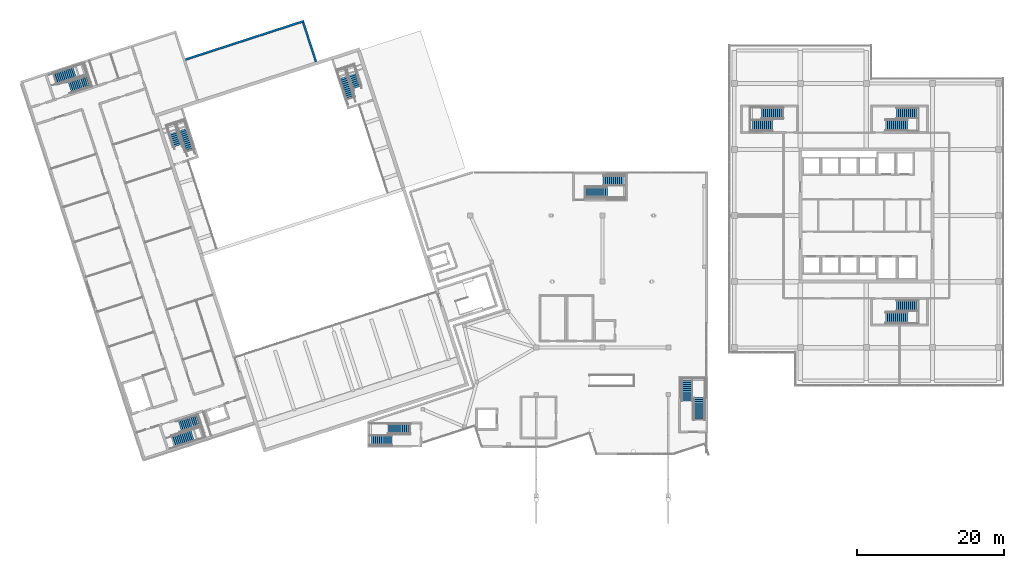
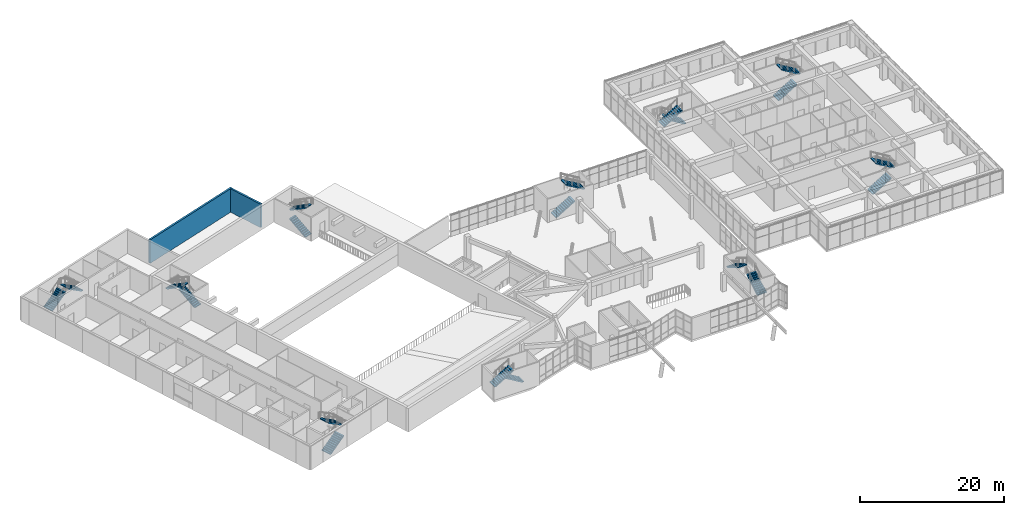
# One storey, part 59 of 65: 20 stair flights, 2 walls, 10 elements without a shape of their own.
"""IFC4 building model written with IfcOpenShell, lengths in metres."""

from ifc_helpers import new_model, si_unit, direction, frame, frame_2d, origin, place, context, subcontext, project, spatial, polyline, rectangle, outline, extrude, material, layer, layer_set, type_object, element, aggregate, save


model = new_model("IFC4")

# Units and contexts
model_context = context("Model", 3, precision=1e-05, world=origin(), true_north=direction((0.0, 1.0)))
body_context = subcontext(model_context, "Body", "Model", "MODEL_VIEW")
ifc_project = project(units=[si_unit("LENGTHUNIT", "METRE"), si_unit("AREAUNIT", "SQUARE_METRE"), si_unit("VOLUMEUNIT", "CUBIC_METRE"), si_unit("PLANEANGLEUNIT", "RADIAN"), si_unit("MASSUNIT", "GRAM", prefix="KILO")], contexts=[model_context])

# Site, building, storey
site_placement = place(None, origin())
site = spatial("IfcSite", under=ifc_project, at=site_placement, CompositionType="ELEMENT")
building_placement = place(site_placement, origin())
building = spatial("IfcBuilding", under=site, at=building_placement, Name="Tuart Plaza Theatre", CompositionType="ELEMENT")
storey_placement = place(building_placement, frame((0.0, 0.0, 9.5)))
storey = spatial("IfcBuildingStorey", under=building, at=storey_placement, Name="L02", CompositionType="ELEMENT", Elevation=9.5)

# Walls
ifc_material_1 = material(Name="Concrete N40 (40 MPa)", Category="concrete")
ifc_layer = layer(ifc_material_1, 0.300048828125)
ifc_layer_set = layer_set([ifc_layer], Name="WALL RC300 LB FRL 120/120/120")
wall_type = type_object("IfcWallType", Name="WALL RC300 LB FRL 120/120/120", PredefinedType="SOLIDWALL", material=ifc_layer_set)
wall_1_placement = place(storey_placement, frame((39.162109375, 95.257568359375, 0.0), z_axis=(0.0, 0.0, 1.0), x_axis=(0.951058550479, 0.309010733732, 0.0)))
element("IfcWall", 1, at=wall_1_placement, inside=storey, type_object=wall_type, Name="W75", PredefinedType="SOLIDWALL", context=body_context, shape_type="SweptSolid", body=[
    extrude(rectangle(XDim=17.0, YDim=0.300048828125, at=frame_2d((8.5, 0.0))), origin(), (0.0, 0.0, 1.0), 4.0),
])
wall_2_placement = place(storey_placement, frame((55.233642578125, 100.32177734375, 0.0), z_axis=(0.0, 0.0, 1.0), x_axis=(0.309031112369, -0.951051928965, 0.0)))
element("IfcWall", 2, at=wall_2_placement, inside=storey, type_object=wall_type, Name="W76", PredefinedType="SOLIDWALL", context=body_context, shape_type="SweptSolid", body=[
    extrude(rectangle(XDim=5.625, YDim=0.300048828125, at=frame_2d((2.8125, 0.0))), origin(), (0.0, 0.0, 1.0), 4.0),
])

# Stair, stair flights
ifc_material_2 = material(Name="Concrete N40 (40 MPa)", Category="concrete")
stair_type_1 = type_object("IfcStairType", Name="STAIR half turn 1600", PredefinedType="HALF_TURN_STAIR", material=ifc_material_2)
stair_1_placement = place(storey_placement, origin())
stair_1 = element("IfcStair", 3, at=stair_1_placement, inside=storey, type_object=stair_type_1, Name="SA-1", PredefinedType="HALF_TURN_STAIR")
ifc_material_3 = material(Name="Concrete N40 (40 MPa)", Category="concrete")
stair_flight_type_1 = type_object("IfcStairFlightType", Name="STAIR FLIGHT 166.7 260 1600", PredefinedType="STRAIGHT", material=ifc_material_3)
stair_flight_1_placement = place(storey_placement, frame((37.430419921875, 43.14697265625, 0.0), z_axis=(0.0, 0.0, 1.0), x_axis=(0.951056516295, 0.309016994375, 0.0)))
stair_flight_1 = element("IfcStairFlight", 4, at=stair_flight_1_placement, type_object=stair_flight_type_1, Name="SA-1 flight 1", NumberOfRisers=12, NumberOfTreads=11, PredefinedType="STRAIGHT", RiserHeight=0.166666667, TreadLength=0.26, context=body_context, shape_type="SweptSolid", body=[
    extrude(outline(polyline([(0.0, 0.0), (0.0, 0.166748046875), (0.260009765625, 0.166748046875), (0.260009765625, 0.333251953125), (0.52001953125, 0.333251953125), (0.52001953125, 0.5), (0.780029296875, 0.5), (0.780029296875, 0.666748046875), (1.0400390625, 0.666748046875), (1.0400390625, 0.833251953125), (1.300048828125, 0.833251953125), (1.300048828125, 1.0), (1.56005859375, 1.0), (1.56005859375, 1.166748046875), (1.820068359375, 1.166748046875), (1.820068359375, 1.333251953125), (2.080078125, 1.333251953125), (2.080078125, 1.5), (2.340087890625, 1.5), (2.340087890625, 1.666748046875), (2.60009765625, 1.666748046875), (2.60009765625, 1.833251953125), (2.860107421875, 1.833251953125), (2.860107421875, 2.0), (2.860107421875, 1.6552734375), (0.27783203125, 0.0), (0.0, 0.0)])), frame((0.0, 0.800048828125, 0.0), z_axis=(0.0, -1.0, 0.0), x_axis=(1.0, 0.0, 0.0)), (0.0, 0.0, 1.0), 1.60009765625),
])
stair_flight_2_placement = place(storey_placement, frame((41.13134765625, 46.189453125, 2.0), z_axis=(0.0, 0.0, 1.0), x_axis=(-0.951056516295, -0.309016994375, 0.0)))
stair_flight_2 = element("IfcStairFlight", 5, at=stair_flight_2_placement, type_object=stair_flight_type_1, Name="SA-1 flight 2", NumberOfRisers=12, NumberOfTreads=11, PredefinedType="STRAIGHT", RiserHeight=0.166666667, TreadLength=0.26, context=body_context, shape_type="SweptSolid", body=[
    extrude(outline(polyline([(0.0, 0.0), (0.0, 0.166748046875), (0.260009765625, 0.166748046875), (0.260009765625, 0.333251953125), (0.52001953125, 0.333251953125), (0.52001953125, 0.5), (0.780029296875, 0.5), (0.780029296875, 0.666748046875), (1.0400390625, 0.666748046875), (1.0400390625, 0.833251953125), (1.300048828125, 0.833251953125), (1.300048828125, 1.0), (1.56005859375, 1.0), (1.56005859375, 1.166748046875), (1.820068359375, 1.166748046875), (1.820068359375, 1.333251953125), (2.080078125, 1.333251953125), (2.080078125, 1.5), (2.340087890625, 1.5), (2.340087890625, 1.666748046875), (2.60009765625, 1.666748046875), (2.60009765625, 1.833251953125), (2.860107421875, 1.833251953125), (2.860107421875, 2.0), (2.860107421875, 1.6552734375), (0.27783203125, 0.0), (0.0, 0.0)])), frame((0.0, 0.800048828125, 0.0), z_axis=(0.0, -1.0, 0.0), x_axis=(1.0, 0.0, 0.0)), (0.0, 0.0, 1.0), 1.60009765625),
])
aggregate(stair_1, [stair_flight_1, stair_flight_2])

stair_2_placement = place(storey_placement, origin())
stair_2 = element("IfcStair", 6, at=stair_2_placement, inside=storey, type_object=stair_type_1, Name="SA-2", PredefinedType="HALF_TURN_STAIR")
stair_flight_3_placement = place(storey_placement, frame((21.345947265625, 92.6494140625, 0.0), z_axis=(0.0, 0.0, 1.0), x_axis=(0.951056516295, 0.309016994375, 0.0)))
stair_flight_3 = element("IfcStairFlight", 7, at=stair_flight_3_placement, type_object=stair_flight_type_1, Name="SA-2 flight 1", NumberOfRisers=12, NumberOfTreads=11, PredefinedType="STRAIGHT", RiserHeight=0.166666667, TreadLength=0.26, context=body_context, shape_type="SweptSolid", body=[
    extrude(outline(polyline([(0.0, 0.0), (0.0, 0.166748046875), (0.260009765625, 0.166748046875), (0.260009765625, 0.333251953125), (0.52001953125, 0.333251953125), (0.52001953125, 0.5), (0.780029296875, 0.5), (0.780029296875, 0.666748046875), (1.0400390625, 0.666748046875), (1.0400390625, 0.833251953125), (1.300048828125, 0.833251953125), (1.300048828125, 1.0), (1.56005859375, 1.0), (1.56005859375, 1.166748046875), (1.820068359375, 1.166748046875), (1.820068359375, 1.333251953125), (2.080078125, 1.333251953125), (2.080078125, 1.5), (2.340087890625, 1.5), (2.340087890625, 1.666748046875), (2.60009765625, 1.666748046875), (2.60009765625, 1.833251953125), (2.860107421875, 1.833251953125), (2.860107421875, 2.0), (2.860107421875, 1.6552734375), (0.27783203125, 0.0), (0.0, 0.0)])), frame((0.0, 0.800048828125, 0.0), z_axis=(0.0, -1.0, 0.0), x_axis=(1.0, 0.0, 0.0)), (0.0, 0.0, 1.0), 1.60009765625),
])
stair_flight_4_placement = place(storey_placement, frame((26.128662109375, 92.36328125, 2.0), z_axis=(0.0, 0.0, 1.0), x_axis=(-0.951056516295, -0.309016994375, 0.0)))
stair_flight_4 = element("IfcStairFlight", 8, at=stair_flight_4_placement, type_object=stair_flight_type_1, Name="SA-2 flight 2", NumberOfRisers=12, NumberOfTreads=11, PredefinedType="STRAIGHT", RiserHeight=0.166666667, TreadLength=0.26, context=body_context, shape_type="SweptSolid", body=[
    extrude(outline(polyline([(0.0, 0.0), (0.0, 0.166748046875), (0.260009765625, 0.166748046875), (0.260009765625, 0.333251953125), (0.52001953125, 0.333251953125), (0.52001953125, 0.5), (0.780029296875, 0.5), (0.780029296875, 0.666748046875), (1.0400390625, 0.666748046875), (1.0400390625, 0.833251953125), (1.300048828125, 0.833251953125), (1.300048828125, 1.0), (1.56005859375, 1.0), (1.56005859375, 1.166748046875), (1.820068359375, 1.166748046875), (1.820068359375, 1.333251953125), (2.080078125, 1.333251953125), (2.080078125, 1.5), (2.340087890625, 1.5), (2.340087890625, 1.666748046875), (2.60009765625, 1.666748046875), (2.60009765625, 1.833251953125), (2.860107421875, 1.833251953125), (2.860107421875, 2.0), (2.860107421875, 1.6552734375), (0.27783203125, 0.0), (0.0, 0.0)])), frame((0.0, 0.800048828125, 0.0), z_axis=(0.0, -1.0, 0.0), x_axis=(1.0, 0.0, 0.0)), (0.0, 0.0, 1.0), 1.60009765625),
])
aggregate(stair_2, [stair_flight_3, stair_flight_4])

ifc_material_4 = material(Name="Concrete N40 (40 MPa)", Category="concrete")
stair_type_2 = type_object("IfcStairType", Name="STAIR half turn 1500", PredefinedType="HALF_TURN_STAIR", material=ifc_material_4)
stair_3_placement = place(storey_placement, origin())
stair_3 = element("IfcStair", 9, at=stair_3_placement, inside=storey, type_object=stair_type_2, Name="SC-2", PredefinedType="HALF_TURN_STAIR")
ifc_material_5 = material(Name="Concrete N40 (40 MPa)", Category="concrete")
stair_flight_type_2 = type_object("IfcStairFlightType", Name="STAIR FLIGHT 166.7 275 1500", PredefinedType="STRAIGHT", material=ifc_material_5)
stair_flight_5_placement = place(storey_placement, frame((134.594970703125, 60.050048828125, 0.0), z_axis=(0.0, 0.0, 1.0), x_axis=(1.0, 0.0, 0.0)))
stair_flight_5 = element("IfcStairFlight", 10, at=stair_flight_5_placement, type_object=stair_flight_type_2, Name="SC-2 flight 1", NumberOfRisers=12, NumberOfTreads=11, PredefinedType="STRAIGHT", RiserHeight=0.166666667, TreadLength=0.275, context=body_context, shape_type="SweptSolid", body=[
    extrude(outline(polyline([(0.0, 0.0), (0.0, 0.166748046875), (0.27490234375, 0.166748046875), (0.27490234375, 0.333251953125), (0.550048828125, 0.333251953125), (0.550048828125, 0.5), (0.824951171875, 0.5), (0.824951171875, 0.666748046875), (1.10009765625, 0.666748046875), (1.10009765625, 0.833251953125), (1.375, 0.833251953125), (1.375, 1.0), (1.64990234375, 1.0), (1.64990234375, 1.166748046875), (1.925048828125, 1.166748046875), (1.925048828125, 1.333251953125), (2.199951171875, 1.333251953125), (2.199951171875, 1.5), (2.47509765625, 1.5), (2.47509765625, 1.666748046875), (2.75, 1.666748046875), (2.75, 1.833251953125), (3.02490234375, 1.833251953125), (3.02490234375, 2.0), (3.02490234375, 1.657958984375), (0.289306640625, 0.0), (0.0, 0.0)])), frame((0.0, 0.75, 0.0), z_axis=(0.0, -1.0, 0.0), x_axis=(1.0, 0.0, 0.0)), (0.0, 0.0, 1.0), 1.5),
])
stair_flight_6_placement = place(storey_placement, frame((139.1201171875, 61.699951171875, 2.0), z_axis=(0.0, 0.0, 1.0), x_axis=(-1.0, 0.0, 0.0)))
stair_flight_6 = element("IfcStairFlight", 11, at=stair_flight_6_placement, type_object=stair_flight_type_2, Name="SC-2 flight 2", NumberOfRisers=12, NumberOfTreads=11, PredefinedType="STRAIGHT", RiserHeight=0.166666667, TreadLength=0.275, context=body_context, shape_type="SweptSolid", body=[
    extrude(outline(polyline([(0.0, 0.0), (0.0, 0.166748046875), (0.27490234375, 0.166748046875), (0.27490234375, 0.333251953125), (0.550048828125, 0.333251953125), (0.550048828125, 0.5), (0.824951171875, 0.5), (0.824951171875, 0.666748046875), (1.10009765625, 0.666748046875), (1.10009765625, 0.833251953125), (1.375, 0.833251953125), (1.375, 1.0), (1.64990234375, 1.0), (1.64990234375, 1.166748046875), (1.925048828125, 1.166748046875), (1.925048828125, 1.333251953125), (2.199951171875, 1.333251953125), (2.199951171875, 1.5), (2.47509765625, 1.5), (2.47509765625, 1.666748046875), (2.75, 1.666748046875), (2.75, 1.833251953125), (3.02490234375, 1.833251953125), (3.02490234375, 2.0), (3.02490234375, 1.657958984375), (0.289306640625, 0.0), (0.0, 0.0)])), frame((0.0, 0.75, 0.0), z_axis=(0.0, -1.0, 0.0), x_axis=(1.0, 0.0, 0.0)), (0.0, 0.0, 1.0), 1.5),
])
aggregate(stair_3, [stair_flight_5, stair_flight_6])

stair_4_placement = place(storey_placement, origin())
stair_4 = element("IfcStair", 12, at=stair_4_placement, inside=storey, type_object=stair_type_2, Name="SC-8", PredefinedType="HALF_TURN_STAIR")
stair_flight_7_placement = place(storey_placement, frame((134.594970703125, 86.300048828125, 0.0), z_axis=(0.0, 0.0, 1.0), x_axis=(1.0, 0.0, 0.0)))
stair_flight_7 = element("IfcStairFlight", 13, at=stair_flight_7_placement, type_object=stair_flight_type_2, Name="SC-8 flight 1", NumberOfRisers=12, NumberOfTreads=11, PredefinedType="STRAIGHT", RiserHeight=0.166666667, TreadLength=0.275, context=body_context, shape_type="SweptSolid", body=[
    extrude(outline(polyline([(0.0, 0.0), (0.0, 0.166748046875), (0.27490234375, 0.166748046875), (0.27490234375, 0.333251953125), (0.550048828125, 0.333251953125), (0.550048828125, 0.5), (0.824951171875, 0.5), (0.824951171875, 0.666748046875), (1.10009765625, 0.666748046875), (1.10009765625, 0.833251953125), (1.375, 0.833251953125), (1.375, 1.0), (1.64990234375, 1.0), (1.64990234375, 1.166748046875), (1.925048828125, 1.166748046875), (1.925048828125, 1.333251953125), (2.199951171875, 1.333251953125), (2.199951171875, 1.5), (2.47509765625, 1.5), (2.47509765625, 1.666748046875), (2.75, 1.666748046875), (2.75, 1.833251953125), (3.02490234375, 1.833251953125), (3.02490234375, 2.0), (3.02490234375, 1.657958984375), (0.289306640625, 0.0), (0.0, 0.0)])), frame((0.0, 0.75, 0.0), z_axis=(0.0, -1.0, 0.0), x_axis=(1.0, 0.0, 0.0)), (0.0, 0.0, 1.0), 1.5),
])
stair_flight_8_placement = place(storey_placement, frame((139.1201171875, 87.949951171875, 2.0), z_axis=(0.0, 0.0, 1.0), x_axis=(-1.0, 0.0, 0.0)))
stair_flight_8 = element("IfcStairFlight", 14, at=stair_flight_8_placement, type_object=stair_flight_type_2, Name="SC-8 flight 2", NumberOfRisers=12, NumberOfTreads=11, PredefinedType="STRAIGHT", RiserHeight=0.166666667, TreadLength=0.275, context=body_context, shape_type="SweptSolid", body=[
    extrude(outline(polyline([(0.0, 0.0), (0.0, 0.166748046875), (0.27490234375, 0.166748046875), (0.27490234375, 0.333251953125), (0.550048828125, 0.333251953125), (0.550048828125, 0.5), (0.824951171875, 0.5), (0.824951171875, 0.666748046875), (1.10009765625, 0.666748046875), (1.10009765625, 0.833251953125), (1.375, 0.833251953125), (1.375, 1.0), (1.64990234375, 1.0), (1.64990234375, 1.166748046875), (1.925048828125, 1.166748046875), (1.925048828125, 1.333251953125), (2.199951171875, 1.333251953125), (2.199951171875, 1.5), (2.47509765625, 1.5), (2.47509765625, 1.666748046875), (2.75, 1.666748046875), (2.75, 1.833251953125), (3.02490234375, 1.833251953125), (3.02490234375, 2.0), (3.02490234375, 1.657958984375), (0.289306640625, 0.0), (0.0, 0.0)])), frame((0.0, 0.75, 0.0), z_axis=(0.0, -1.0, 0.0), x_axis=(1.0, 0.0, 0.0)), (0.0, 0.0, 1.0), 1.5),
])
aggregate(stair_4, [stair_flight_7, stair_flight_8])

stair_5_placement = place(storey_placement, origin())
stair_5 = element("IfcStair", 15, at=stair_5_placement, inside=storey, type_object=stair_type_2, Name="SC-14", PredefinedType="HALF_TURN_STAIR")
stair_flight_9_placement = place(storey_placement, frame((120.705078125, 87.949951171875, 0.0), z_axis=(0.0, 0.0, 1.0), x_axis=(-1.0, 0.0, 0.0)))
stair_flight_9 = element("IfcStairFlight", 16, at=stair_flight_9_placement, type_object=stair_flight_type_2, Name="SC-14 flight 1", NumberOfRisers=12, NumberOfTreads=11, PredefinedType="STRAIGHT", RiserHeight=0.166666667, TreadLength=0.275, context=body_context, shape_type="SweptSolid", body=[
    extrude(outline(polyline([(0.0, 0.0), (0.0, 0.166748046875), (0.27490234375, 0.166748046875), (0.27490234375, 0.333251953125), (0.550048828125, 0.333251953125), (0.550048828125, 0.5), (0.824951171875, 0.5), (0.824951171875, 0.666748046875), (1.10009765625, 0.666748046875), (1.10009765625, 0.833251953125), (1.375, 0.833251953125), (1.375, 1.0), (1.64990234375, 1.0), (1.64990234375, 1.166748046875), (1.925048828125, 1.166748046875), (1.925048828125, 1.333251953125), (2.199951171875, 1.333251953125), (2.199951171875, 1.5), (2.47509765625, 1.5), (2.47509765625, 1.666748046875), (2.75, 1.666748046875), (2.75, 1.833251953125), (3.02490234375, 1.833251953125), (3.02490234375, 2.0), (3.02490234375, 1.657958984375), (0.289306640625, 0.0), (0.0, 0.0)])), frame((0.0, 0.75, 0.0), z_axis=(0.0, -1.0, 0.0), x_axis=(1.0, 0.0, 0.0)), (0.0, 0.0, 1.0), 1.5),
])
stair_flight_10_placement = place(storey_placement, frame((116.179931640625, 86.300048828125, 2.0), z_axis=(0.0, 0.0, 1.0), x_axis=(1.0, 0.0, 0.0)))
stair_flight_10 = element("IfcStairFlight", 17, at=stair_flight_10_placement, type_object=stair_flight_type_2, Name="SC-14 flight 2", NumberOfRisers=12, NumberOfTreads=11, PredefinedType="STRAIGHT", RiserHeight=0.166666667, TreadLength=0.275, context=body_context, shape_type="SweptSolid", body=[
    extrude(outline(polyline([(0.0, 0.0), (0.0, 0.166748046875), (0.27490234375, 0.166748046875), (0.27490234375, 0.333251953125), (0.550048828125, 0.333251953125), (0.550048828125, 0.5), (0.824951171875, 0.5), (0.824951171875, 0.666748046875), (1.10009765625, 0.666748046875), (1.10009765625, 0.833251953125), (1.375, 0.833251953125), (1.375, 1.0), (1.64990234375, 1.0), (1.64990234375, 1.166748046875), (1.925048828125, 1.166748046875), (1.925048828125, 1.333251953125), (2.199951171875, 1.333251953125), (2.199951171875, 1.5), (2.47509765625, 1.5), (2.47509765625, 1.666748046875), (2.75, 1.666748046875), (2.75, 1.833251953125), (3.02490234375, 1.833251953125), (3.02490234375, 2.0), (3.02490234375, 1.657958984375), (0.289306640625, 0.0), (0.0, 0.0)])), frame((0.0, 0.75, 0.0), z_axis=(0.0, -1.0, 0.0), x_axis=(1.0, 0.0, 0.0)), (0.0, 0.0, 1.0), 1.5),
])
aggregate(stair_5, [stair_flight_9, stair_flight_10])

ifc_material_6 = material(Name="Concrete N40 (40 MPa)", Category="concrete")
stair_type_3 = type_object("IfcStairType", Name="STAIR half turn 1200", PredefinedType="HALF_TURN_STAIR", material=ifc_material_6)
stair_6_placement = place(storey_placement, origin())
stair_6 = element("IfcStair", 18, at=stair_6_placement, inside=storey, type_object=stair_type_3, Name="SA-4", PredefinedType="HALF_TURN_STAIR")
ifc_material_7 = material(Name="Concrete N40 (40 MPa)", Category="concrete")
stair_flight_type_3 = type_object("IfcStairFlightType", Name="STAIR FLIGHT 166.7 280 1200", PredefinedType="STRAIGHT", material=ifc_material_7)
stair_flight_11_placement = place(storey_placement, frame((39.7744140625, 82.807373046875, 0.0), z_axis=(0.0, 0.0, 1.0), x_axis=(-0.309016994375, 0.951056516295, 0.0)))
stair_flight_11 = element("IfcStairFlight", 19, at=stair_flight_11_placement, type_object=stair_flight_type_3, Name="SA-4 flight 1", NumberOfRisers=12, NumberOfTreads=11, PredefinedType="STRAIGHT", RiserHeight=0.166666667, TreadLength=0.28, context=body_context, shape_type="SweptSolid", body=[
    extrude(outline(polyline([(0.0, 0.0), (0.0, 0.166748046875), (0.280029296875, 0.166748046875), (0.280029296875, 0.333251953125), (0.56005859375, 0.333251953125), (0.56005859375, 0.5), (0.840087890625, 0.5), (0.840087890625, 0.666748046875), (1.1201171875, 0.666748046875), (1.1201171875, 0.833251953125), (1.39990234375, 0.833251953125), (1.39990234375, 1.0), (1.679931640625, 1.0), (1.679931640625, 1.166748046875), (1.9599609375, 1.166748046875), (1.9599609375, 1.333251953125), (2.239990234375, 1.333251953125), (2.239990234375, 1.5), (2.52001953125, 1.5), (2.52001953125, 1.666748046875), (2.800048828125, 1.666748046875), (2.800048828125, 1.833251953125), (3.080078125, 1.833251953125), (3.080078125, 2.0), (3.080078125, 1.658935546875), (0.29296875, 0.0), (0.0, 0.0)])), frame((0.0, 0.60009765625, 0.0), z_axis=(0.0, -1.0, 0.0), x_axis=(1.0, 0.0, 0.0)), (0.0, 0.0, 1.0), 1.199951171875),
])
stair_flight_12_placement = place(storey_placement, frame((37.167724609375, 86.460693359375, 2.0), z_axis=(0.0, 0.0, 1.0), x_axis=(0.309016994375, -0.951056516295, 0.0)))
stair_flight_12 = element("IfcStairFlight", 20, at=stair_flight_12_placement, type_object=stair_flight_type_3, Name="SA-4 flight 2", NumberOfRisers=12, NumberOfTreads=11, PredefinedType="STRAIGHT", RiserHeight=0.166666667, TreadLength=0.28, context=body_context, shape_type="SweptSolid", body=[
    extrude(outline(polyline([(0.0, 0.0), (0.0, 0.166748046875), (0.280029296875, 0.166748046875), (0.280029296875, 0.333251953125), (0.56005859375, 0.333251953125), (0.56005859375, 0.5), (0.840087890625, 0.5), (0.840087890625, 0.666748046875), (1.1201171875, 0.666748046875), (1.1201171875, 0.833251953125), (1.39990234375, 0.833251953125), (1.39990234375, 1.0), (1.679931640625, 1.0), (1.679931640625, 1.166748046875), (1.9599609375, 1.166748046875), (1.9599609375, 1.333251953125), (2.239990234375, 1.333251953125), (2.239990234375, 1.5), (2.52001953125, 1.5), (2.52001953125, 1.666748046875), (2.800048828125, 1.666748046875), (2.800048828125, 1.833251953125), (3.080078125, 1.833251953125), (3.080078125, 2.0), (3.080078125, 1.658935546875), (0.29296875, 0.0), (0.0, 0.0)])), frame((0.0, 0.60009765625, 0.0), z_axis=(0.0, -1.0, 0.0), x_axis=(1.0, 0.0, 0.0)), (0.0, 0.0, 1.0), 1.199951171875),
])
aggregate(stair_6, [stair_flight_11, stair_flight_12])

stair_7_placement = place(storey_placement, origin())
stair_7 = element("IfcStair", 21, at=stair_7_placement, inside=storey, type_object=stair_type_3, Name="SA-5", PredefinedType="HALF_TURN_STAIR")
stair_flight_13_placement = place(storey_placement, frame((61.6533203125, 89.916259765625, 0.0), z_axis=(0.0, 0.0, 1.0), x_axis=(-0.309016994375, 0.951056516295, 0.0)))
stair_flight_13 = element("IfcStairFlight", 22, at=stair_flight_13_placement, type_object=stair_flight_type_3, Name="SA-5 flight 1", NumberOfRisers=12, NumberOfTreads=11, PredefinedType="STRAIGHT", RiserHeight=0.166666667, TreadLength=0.28, context=body_context, shape_type="SweptSolid", body=[
    extrude(outline(polyline([(0.0, 0.0), (0.0, 0.166748046875), (0.280029296875, 0.166748046875), (0.280029296875, 0.333251953125), (0.56005859375, 0.333251953125), (0.56005859375, 0.5), (0.840087890625, 0.5), (0.840087890625, 0.666748046875), (1.1201171875, 0.666748046875), (1.1201171875, 0.833251953125), (1.39990234375, 0.833251953125), (1.39990234375, 1.0), (1.679931640625, 1.0), (1.679931640625, 1.166748046875), (1.9599609375, 1.166748046875), (1.9599609375, 1.333251953125), (2.239990234375, 1.333251953125), (2.239990234375, 1.5), (2.52001953125, 1.5), (2.52001953125, 1.666748046875), (2.800048828125, 1.666748046875), (2.800048828125, 1.833251953125), (3.080078125, 1.833251953125), (3.080078125, 2.0), (3.080078125, 1.658935546875), (0.29296875, 0.0), (0.0, 0.0)])), frame((0.0, 0.60009765625, 0.0), z_axis=(0.0, -1.0, 0.0), x_axis=(1.0, 0.0, 0.0)), (0.0, 0.0, 1.0), 1.199951171875),
])
stair_flight_14_placement = place(storey_placement, frame((61.61474609375, 94.404052734375, 2.0), z_axis=(0.0, 0.0, 1.0), x_axis=(0.309016994375, -0.951056516295, 0.0)))
stair_flight_14 = element("IfcStairFlight", 23, at=stair_flight_14_placement, type_object=stair_flight_type_3, Name="SA-5 flight 2", NumberOfRisers=12, NumberOfTreads=11, PredefinedType="STRAIGHT", RiserHeight=0.166666667, TreadLength=0.28, context=body_context, shape_type="SweptSolid", body=[
    extrude(outline(polyline([(0.0, 0.0), (0.0, 0.166748046875), (0.280029296875, 0.166748046875), (0.280029296875, 0.333251953125), (0.56005859375, 0.333251953125), (0.56005859375, 0.5), (0.840087890625, 0.5), (0.840087890625, 0.666748046875), (1.1201171875, 0.666748046875), (1.1201171875, 0.833251953125), (1.39990234375, 0.833251953125), (1.39990234375, 1.0), (1.679931640625, 1.0), (1.679931640625, 1.166748046875), (1.9599609375, 1.166748046875), (1.9599609375, 1.333251953125), (2.239990234375, 1.333251953125), (2.239990234375, 1.5), (2.52001953125, 1.5), (2.52001953125, 1.666748046875), (2.800048828125, 1.666748046875), (2.800048828125, 1.833251953125), (3.080078125, 1.833251953125), (3.080078125, 2.0), (3.080078125, 1.658935546875), (0.29296875, 0.0), (0.0, 0.0)])), frame((0.0, 0.60009765625, 0.0), z_axis=(0.0, -1.0, 0.0), x_axis=(1.0, 0.0, 0.0)), (0.0, 0.0, 1.0), 1.199951171875),
])
aggregate(stair_7, [stair_flight_13, stair_flight_14])

ifc_material_8 = material(Name="Concrete N40 (40 MPa)", Category="concrete")
stair_type_4 = type_object("IfcStairType", Name="STAIR half turn 1400", PredefinedType="HALF_TURN_STAIR", material=ifc_material_8)
stair_8_placement = place(storey_placement, origin())
stair_8 = element("IfcStair", 24, at=stair_8_placement, inside=storey, type_object=stair_type_4, Name="SB-3", PredefinedType="HALF_TURN_STAIR")
ifc_material_9 = material(Name="Concrete N40 (40 MPa)", Category="concrete")
stair_flight_type_4 = type_object("IfcStairFlightType", Name="STAIR FLIGHT 166.7 280 1400", PredefinedType="STRAIGHT", material=ifc_material_9)
stair_flight_15_placement = place(storey_placement, frame((69.85009765625, 44.925048828125, 0.0), z_axis=(0.0, 0.0, 1.0), x_axis=(-1.0, 0.0, 0.0)))
stair_flight_15 = element("IfcStairFlight", 25, at=stair_flight_15_placement, type_object=stair_flight_type_4, Name="SB-3 flight 1", NumberOfRisers=12, NumberOfTreads=11, PredefinedType="STRAIGHT", RiserHeight=0.166666667, TreadLength=0.28, context=body_context, shape_type="SweptSolid", body=[
    extrude(outline(polyline([(0.0, 0.0), (0.0, 0.166748046875), (0.280029296875, 0.166748046875), (0.280029296875, 0.333251953125), (0.56005859375, 0.333251953125), (0.56005859375, 0.5), (0.840087890625, 0.5), (0.840087890625, 0.666748046875), (1.1201171875, 0.666748046875), (1.1201171875, 0.833251953125), (1.39990234375, 0.833251953125), (1.39990234375, 1.0), (1.679931640625, 1.0), (1.679931640625, 1.166748046875), (1.9599609375, 1.166748046875), (1.9599609375, 1.333251953125), (2.239990234375, 1.333251953125), (2.239990234375, 1.5), (2.52001953125, 1.5), (2.52001953125, 1.666748046875), (2.800048828125, 1.666748046875), (2.800048828125, 1.833251953125), (3.080078125, 1.833251953125), (3.080078125, 2.0), (3.080078125, 1.658935546875), (0.29296875, 0.0), (0.0, 0.0)])), frame((0.0, 0.699951171875, 0.0), z_axis=(0.0, -1.0, 0.0), x_axis=(1.0, 0.0, 0.0)), (0.0, 0.0, 1.0), 1.39990234375),
])
stair_flight_16_placement = place(storey_placement, frame((64.25, 43.375, 2.0), z_axis=(0.0, 0.0, 1.0), x_axis=(1.0, 0.0, 0.0)))
stair_flight_16 = element("IfcStairFlight", 26, at=stair_flight_16_placement, type_object=stair_flight_type_4, Name="SB-3 flight 2", NumberOfRisers=12, NumberOfTreads=11, PredefinedType="STRAIGHT", RiserHeight=0.166666667, TreadLength=0.28, context=body_context, shape_type="SweptSolid", body=[
    extrude(outline(polyline([(0.0, 0.0), (0.0, 0.166748046875), (0.280029296875, 0.166748046875), (0.280029296875, 0.333251953125), (0.56005859375, 0.333251953125), (0.56005859375, 0.5), (0.840087890625, 0.5), (0.840087890625, 0.666748046875), (1.1201171875, 0.666748046875), (1.1201171875, 0.833251953125), (1.39990234375, 0.833251953125), (1.39990234375, 1.0), (1.679931640625, 1.0), (1.679931640625, 1.166748046875), (1.9599609375, 1.166748046875), (1.9599609375, 1.333251953125), (2.239990234375, 1.333251953125), (2.239990234375, 1.5), (2.52001953125, 1.5), (2.52001953125, 1.666748046875), (2.800048828125, 1.666748046875), (2.800048828125, 1.833251953125), (3.080078125, 1.833251953125), (3.080078125, 2.0), (3.080078125, 1.658935546875), (0.29296875, 0.0), (0.0, 0.0)])), frame((0.0, 0.699951171875, 0.0), z_axis=(0.0, -1.0, 0.0), x_axis=(1.0, 0.0, 0.0)), (0.0, 0.0, 1.0), 1.39990234375),
])
aggregate(stair_8, [stair_flight_15, stair_flight_16])

stair_9_placement = place(storey_placement, origin())
stair_9 = element("IfcStair", 27, at=stair_9_placement, inside=storey, type_object=stair_type_4, Name="SB-6", PredefinedType="HALF_TURN_STAIR")
stair_flight_17_placement = place(storey_placement, frame((93.60009765625, 77.175048828125, 0.0), z_axis=(0.0, 0.0, 1.0), x_axis=(1.0, 0.0, 0.0)))
stair_flight_17 = element("IfcStairFlight", 28, at=stair_flight_17_placement, type_object=stair_flight_type_4, Name="SB-6 flight 1", NumberOfRisers=12, NumberOfTreads=11, PredefinedType="STRAIGHT", RiserHeight=0.166666667, TreadLength=0.28, context=body_context, shape_type="SweptSolid", body=[
    extrude(outline(polyline([(0.0, 0.0), (0.0, 0.166748046875), (0.280029296875, 0.166748046875), (0.280029296875, 0.333251953125), (0.56005859375, 0.333251953125), (0.56005859375, 0.5), (0.840087890625, 0.5), (0.840087890625, 0.666748046875), (1.1201171875, 0.666748046875), (1.1201171875, 0.833251953125), (1.39990234375, 0.833251953125), (1.39990234375, 1.0), (1.679931640625, 1.0), (1.679931640625, 1.166748046875), (1.9599609375, 1.166748046875), (1.9599609375, 1.333251953125), (2.239990234375, 1.333251953125), (2.239990234375, 1.5), (2.52001953125, 1.5), (2.52001953125, 1.666748046875), (2.800048828125, 1.666748046875), (2.800048828125, 1.833251953125), (3.080078125, 1.833251953125), (3.080078125, 2.0), (3.080078125, 1.658935546875), (0.29296875, 0.0), (0.0, 0.0)])), frame((0.0, 0.699951171875, 0.0), z_axis=(0.0, -1.0, 0.0), x_axis=(1.0, 0.0, 0.0)), (0.0, 0.0, 1.0), 1.39990234375),
])
stair_flight_18_placement = place(storey_placement, frame((99.199951171875, 78.72509765625, 2.0), z_axis=(0.0, 0.0, 1.0), x_axis=(-1.0, 0.0, 0.0)))
stair_flight_18 = element("IfcStairFlight", 29, at=stair_flight_18_placement, type_object=stair_flight_type_4, Name="SB-6 flight 2", NumberOfRisers=12, NumberOfTreads=11, PredefinedType="STRAIGHT", RiserHeight=0.166666667, TreadLength=0.28, context=body_context, shape_type="SweptSolid", body=[
    extrude(outline(polyline([(0.0, 0.0), (0.0, 0.166748046875), (0.280029296875, 0.166748046875), (0.280029296875, 0.333251953125), (0.56005859375, 0.333251953125), (0.56005859375, 0.5), (0.840087890625, 0.5), (0.840087890625, 0.666748046875), (1.1201171875, 0.666748046875), (1.1201171875, 0.833251953125), (1.39990234375, 0.833251953125), (1.39990234375, 1.0), (1.679931640625, 1.0), (1.679931640625, 1.166748046875), (1.9599609375, 1.166748046875), (1.9599609375, 1.333251953125), (2.239990234375, 1.333251953125), (2.239990234375, 1.5), (2.52001953125, 1.5), (2.52001953125, 1.666748046875), (2.800048828125, 1.666748046875), (2.800048828125, 1.833251953125), (3.080078125, 1.833251953125), (3.080078125, 2.0), (3.080078125, 1.658935546875), (0.29296875, 0.0), (0.0, 0.0)])), frame((0.0, 0.699951171875, 0.0), z_axis=(0.0, -1.0, 0.0), x_axis=(1.0, 0.0, 0.0)), (0.0, 0.0, 1.0), 1.39990234375),
])
aggregate(stair_9, [stair_flight_17, stair_flight_18])

stair_10_placement = place(storey_placement, origin())
stair_10 = element("IfcStair", 30, at=stair_10_placement, inside=storey, type_object=stair_type_2, Name="SB-9", PredefinedType="HALF_TURN_STAIR")
ifc_material_10 = material(Name="Concrete N40 (40 MPa)", Category="concrete")
stair_flight_type_5 = type_object("IfcStairFlightType", Name="STAIR FLIGHT 166.7 280 1500", PredefinedType="STRAIGHT", material=ifc_material_10)
stair_flight_19_placement = place(storey_placement, frame((109.205078125, 46.10009765625, 0.0), z_axis=(0.0, 0.0, 1.0), x_axis=(0.0, 1.0, 0.0)))
stair_flight_19 = element("IfcStairFlight", 31, at=stair_flight_19_placement, type_object=stair_flight_type_5, Name="SB-9 flight 1", NumberOfRisers=12, NumberOfTreads=11, PredefinedType="STRAIGHT", RiserHeight=0.166666667, TreadLength=0.28, context=body_context, shape_type="SweptSolid", body=[
    extrude(outline(polyline([(0.0, 0.0), (0.0, 0.166748046875), (0.280029296875, 0.166748046875), (0.280029296875, 0.333251953125), (0.56005859375, 0.333251953125), (0.56005859375, 0.5), (0.840087890625, 0.5), (0.840087890625, 0.666748046875), (1.1201171875, 0.666748046875), (1.1201171875, 0.833251953125), (1.39990234375, 0.833251953125), (1.39990234375, 1.0), (1.679931640625, 1.0), (1.679931640625, 1.166748046875), (1.9599609375, 1.166748046875), (1.9599609375, 1.333251953125), (2.239990234375, 1.333251953125), (2.239990234375, 1.5), (2.52001953125, 1.5), (2.52001953125, 1.666748046875), (2.800048828125, 1.666748046875), (2.800048828125, 1.833251953125), (3.080078125, 1.833251953125), (3.080078125, 2.0), (3.080078125, 1.658935546875), (0.29296875, 0.0), (0.0, 0.0)])), frame((0.0, 0.75, 0.0), z_axis=(0.0, -1.0, 0.0), x_axis=(1.0, 0.0, 0.0)), (0.0, 0.0, 1.0), 1.5),
])
stair_flight_20_placement = place(storey_placement, frame((107.554931640625, 51.800048828125, 2.0), z_axis=(0.0, 0.0, 1.0), x_axis=(0.0, -1.0, 0.0)))
stair_flight_20 = element("IfcStairFlight", 32, at=stair_flight_20_placement, type_object=stair_flight_type_5, Name="SB-9 flight 2", NumberOfRisers=12, NumberOfTreads=11, PredefinedType="STRAIGHT", RiserHeight=0.166666667, TreadLength=0.28, context=body_context, shape_type="SweptSolid", body=[
    extrude(outline(polyline([(0.0, 0.0), (0.0, 0.166748046875), (0.280029296875, 0.166748046875), (0.280029296875, 0.333251953125), (0.56005859375, 0.333251953125), (0.56005859375, 0.5), (0.840087890625, 0.5), (0.840087890625, 0.666748046875), (1.1201171875, 0.666748046875), (1.1201171875, 0.833251953125), (1.39990234375, 0.833251953125), (1.39990234375, 1.0), (1.679931640625, 1.0), (1.679931640625, 1.166748046875), (1.9599609375, 1.166748046875), (1.9599609375, 1.333251953125), (2.239990234375, 1.333251953125), (2.239990234375, 1.5), (2.52001953125, 1.5), (2.52001953125, 1.666748046875), (2.800048828125, 1.666748046875), (2.800048828125, 1.833251953125), (3.080078125, 1.833251953125), (3.080078125, 2.0), (3.080078125, 1.658935546875), (0.29296875, 0.0), (0.0, 0.0)])), frame((0.0, 0.75, 0.0), z_axis=(0.0, -1.0, 0.0), x_axis=(1.0, 0.0, 0.0)), (0.0, 0.0, 1.0), 1.5),
])
aggregate(stair_10, [stair_flight_19, stair_flight_20])

save(model, "model.ifc")
